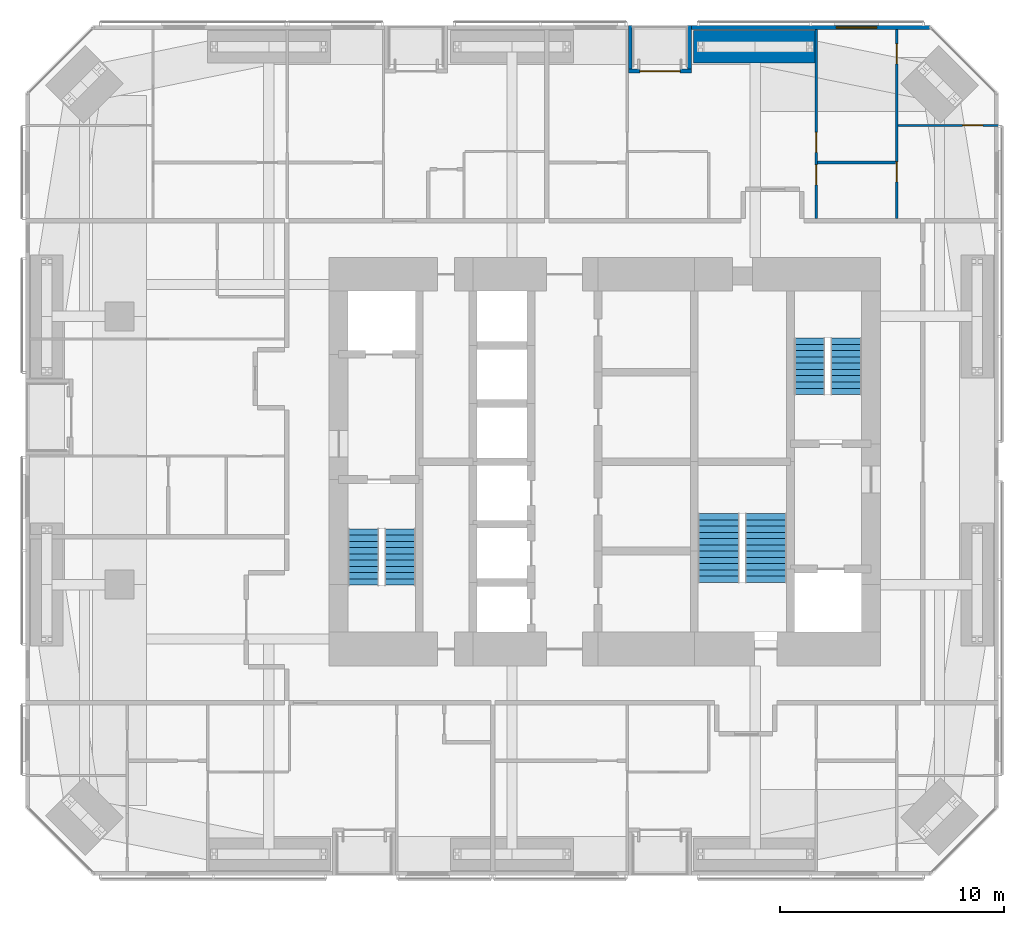
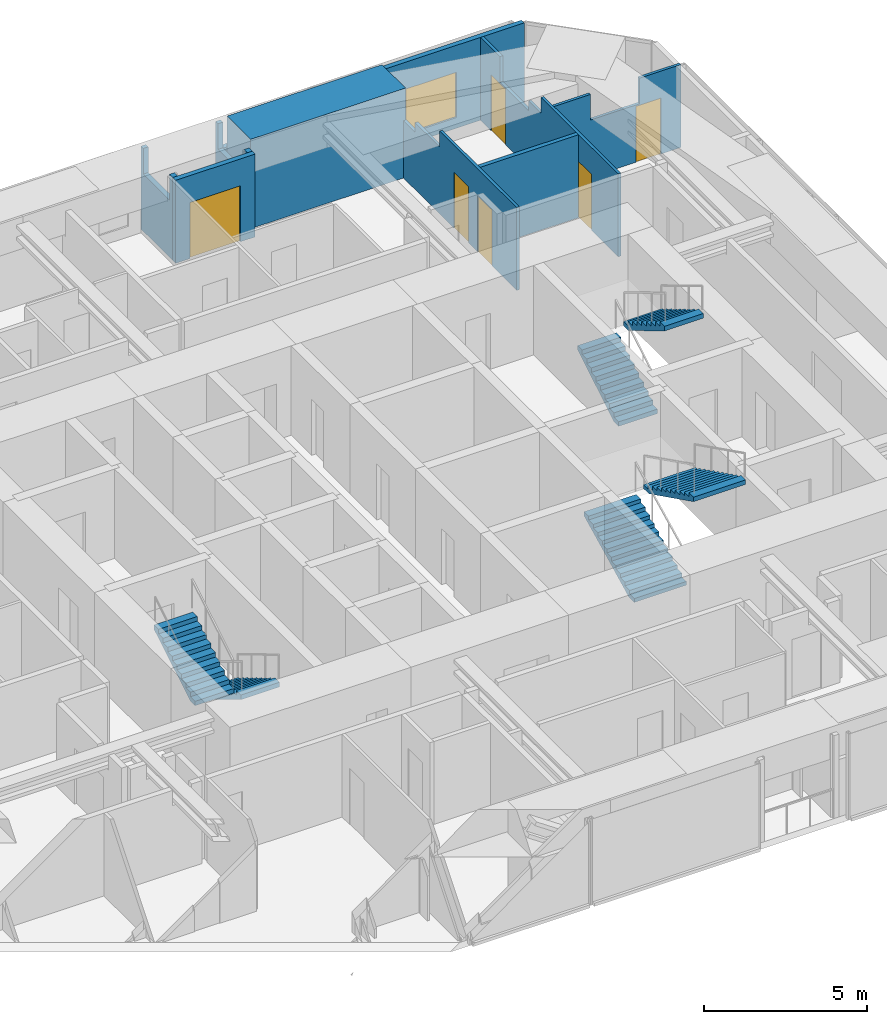
# One storey, part 23 of 24: 9 walls, 6 doors, 6 stair flights, 1 window, 7 openings, 3 elements without a shape of their own.
"""IFC4 building model written with IfcOpenShell, lengths in metres."""

import ifcopenshell
import ifcopenshell.guid

model = None  # the IFC model being written
_history = None  # IfcOwnerHistory: only IFC2X3 demands one
_inside = {}  # id of a spatial element -> (the spatial element, [elements in it])
_under = {}  # id of a project, library or spatial element -> (it, [spatial elements below it])
_declared = {}  # id of a project -> (the project, [libraries it declares])
_typed = {}  # id of a type object -> (the type object, [elements of that type])
_made_of = {}  # id of a material, layer set ... -> (it, [elements and type objects made of it])


def new_model(schema):
    """Start an empty IFC model of exactly this schema.

    Asked for "IFC4X3", IfcOpenShell would pick the latest addendum, in which some entities
    have other attributes; the version numbers below select the first issue.
    IFC2X3 requires an IfcOwnerHistory on every rooted entity: one is made here for all.
    """
    global model, _history
    if schema == "IFC4X3":
        model = ifcopenshell.file(schema_version=(4, 3, 0, 0))
    else:
        model = ifcopenshell.file(schema=schema)
    _inside.clear()
    _under.clear()
    _declared.clear()
    _typed.clear()
    _made_of.clear()
    _history = None
    if model.schema == "IFC2X3":
        org = make("IfcOrganization", Name="unknown")
        user = make(
            "IfcPersonAndOrganization",
            ThePerson=make("IfcPerson", FamilyName="unknown"),
            TheOrganization=org,
        )
        app = make(
            "IfcApplication",
            ApplicationDeveloper=org,
            Version="unknown",
            ApplicationFullName="unknown",
            ApplicationIdentifier="unknown",
        )
        _history = make(
            "IfcOwnerHistory",
            OwningUser=user,
            OwningApplication=app,
            ChangeAction="ADDED",
            CreationDate=0,
        )
    return model


def make(cls, **values):
    """One entity of the class cls with the attributes given. An attribute that is None is left unset."""
    return model.create_entity(
        cls, **{name: value for name, value in values.items() if value is not None}
    )


def rooted(cls, **values):
    """An entity with a GlobalId (a new one), such as an element, a storey or a relation."""
    return make(cls, GlobalId=ifcopenshell.guid.new(), OwnerHistory=_history, **values)


def si_unit(unit_type, name, prefix=None):
    """IfcSIUnit, for example si_unit("LENGTHUNIT", "METRE", prefix="MILLI")."""
    return make("IfcSIUnit", UnitType=unit_type, Prefix=prefix, Name=name)


def assignment(units):
    """IfcUnitAssignment: the units of a project."""
    return None if units is None else make("IfcUnitAssignment", Units=units)


def point(xyz):
    """IfcCartesianPoint."""
    return None if xyz is None else make("IfcCartesianPoint", Coordinates=xyz)


def direction(xyz):
    """IfcDirection."""
    return None if xyz is None else make("IfcDirection", DirectionRatios=xyz)


def frame(location, z_axis=None, x_axis=None):
    """IfcAxis2Placement3D, a coordinate frame: its origin and axes. An axis left out is left unset."""
    return make(
        "IfcAxis2Placement3D",
        Location=point(location),
        Axis=direction(z_axis),
        RefDirection=direction(x_axis),
    )


def frame_2d(location, x_axis=None):
    """IfcAxis2Placement2D, a coordinate frame in the plane: its origin and x axis."""
    return make(
        "IfcAxis2Placement2D", Location=point(location), RefDirection=direction(x_axis)
    )


def origin():
    """The frame at (0, 0, 0) with its axes left unset."""
    return frame((0.0, 0.0, 0.0))


def place(relative_to, where):
    """IfcLocalPlacement: puts the frame where relative to a parent placement (None: the world)."""
    return make(
        "IfcLocalPlacement", PlacementRelTo=relative_to, RelativePlacement=where
    )


def context(
    kind, dimensions, precision=None, world=None, true_north=None, identifier=None
):
    """IfcGeometricRepresentationContext, for example the 3D "Model" context."""
    return make(
        "IfcGeometricRepresentationContext",
        ContextIdentifier=identifier,
        ContextType=kind,
        CoordinateSpaceDimension=dimensions,
        Precision=precision,
        WorldCoordinateSystem=world,
        TrueNorth=true_north,
    )


def subcontext(parent, identifier, kind, view, scale=None):
    """IfcGeometricRepresentationSubContext, for example "Body" below "Model"."""
    return make(
        "IfcGeometricRepresentationSubContext",
        ContextIdentifier=identifier,
        ContextType=kind,
        ParentContext=parent,
        TargetScale=scale,
        TargetView=view,
    )


def project(units=None, contexts=None):
    """IfcProject with its units and contexts."""
    return rooted(
        "IfcProject",
        Name="project",
        RepresentationContexts=contexts,
        UnitsInContext=assignment(units),
    )


def spatial(cls, under=None, at=None, **own):
    """A site, building, storey or space (cls), placed at a placement, below another one or the project."""
    s = rooted(cls, ObjectPlacement=at, **own)
    if under is not None:
        _under.setdefault(under.id(), (under, []))[1].append(s)
    return s


def polyline(points):
    """IfcPolyline through the points."""
    return make("IfcPolyline", Points=[point(p) for p in points])


def profile(cls, at=None, kind="AREA", **sizes):
    """A parametric profile (cls). Its sizes go by their IFC names, for example OverallWidth=200.0."""
    return make(cls, ProfileType=kind, Position=at, **sizes)


def rectangle(**sizes):
    """IfcRectangleProfileDef."""
    return profile("IfcRectangleProfileDef", **sizes)


def outline(outer, holes=None, kind="AREA"):
    """IfcArbitraryClosedProfileDef: a profile drawn as a closed curve; with holes, ...WithVoids."""
    if holes is None:
        return make("IfcArbitraryClosedProfileDef", ProfileType=kind, OuterCurve=outer)
    return make(
        "IfcArbitraryProfileDefWithVoids",
        ProfileType=kind,
        OuterCurve=outer,
        InnerCurves=holes,
    )


def extrude(swept, where, along, depth):
    """IfcExtrudedAreaSolid: the profile swept, set in the frame where, extruded along a direction by depth."""
    return make(
        "IfcExtrudedAreaSolid",
        SweptArea=swept,
        Position=where,
        ExtrudedDirection=direction(along),
        Depth=depth,
    )


def shape(context_of_items, identifier, shape_type, items):
    """IfcShapeRepresentation: the items that make up one representation, for example the "Body"."""
    return make(
        "IfcShapeRepresentation",
        ContextOfItems=context_of_items,
        RepresentationIdentifier=identifier,
        RepresentationType=shape_type,
        Items=items,
    )


def material(Name=None, Category=None):
    """IfcMaterial."""
    return make("IfcMaterial", Name=Name, Category=Category)


def layer(
    of_material, thickness, ventilated=None, Name=None, Category=None, Priority=None
):
    """IfcMaterialLayer: one layer of a wall or slab, of a material (None: an air gap)."""
    return make(
        "IfcMaterialLayer",
        Material=of_material,
        LayerThickness=thickness,
        IsVentilated=ventilated,
        Name=Name,
        Category=Category,
        Priority=Priority,
    )


def layer_set(layers, Name=None):
    """IfcMaterialLayerSet."""
    return make("IfcMaterialLayerSet", MaterialLayers=layers, LayerSetName=Name)


def constituent(of_material, Name=None, Category=None, fraction=None):
    """IfcMaterialConstituent: one of the materials an element consists of."""
    return make(
        "IfcMaterialConstituent",
        Name=Name,
        Material=of_material,
        Fraction=fraction,
        Category=Category,
    )


def constituent_set(constituents=None, Name=None):
    """IfcMaterialConstituentSet."""
    return make(
        "IfcMaterialConstituentSet", Name=Name, MaterialConstituents=constituents
    )


def made_of(thing, what):
    """Note that an element or type object is made of a material, layer set ...; save() writes the relation."""
    if what is not None:
        _made_of.setdefault(what.id(), (what, []))[1].append(thing)
    return thing


def type_object(cls, material=None, **own):
    """A type object (cls), such as IfcWallType, which elements share."""
    return made_of(rooted(cls, **own), material)


def element(
    cls,
    number,
    at=None,
    inside=None,
    cuts=None,
    type_object=None,
    material=None,
    context=None,
    identifier="Body",
    shape_type=None,
    held_by="IfcProductDefinitionShape",
    body=None,
    shapes=None,
    **own,
):
    """One element of the class cls, such as IfcWall. Its Tag is "e" and its number.

    at: its placement. inside: the storey or other place that contains it. cuts: it is an
    opening in that element (IfcRelVoidsElement). A single representation is given by context,
    identifier, shape_type and body (its items); several are given by shapes. held_by: the class
    of the entity that holds the representations. save() writes the other relations.
    """
    e = rooted(cls, Tag="e%d" % number, ObjectPlacement=at, **own)
    if body is not None:
        shapes = [shape(context, identifier, shape_type, body)]
    if shapes is not None:
        e.Representation = make(held_by, Representations=shapes)
    if inside is not None:
        _inside.setdefault(inside.id(), (inside, []))[1].append(e)
    if cuts is not None:
        rooted(
            "IfcRelVoidsElement", RelatingBuildingElement=cuts, RelatedOpeningElement=e
        )
    if type_object is not None:
        _typed.setdefault(type_object.id(), (type_object, []))[1].append(e)
    return made_of(e, material)


def fill(opening, filler):
    """IfcRelFillsElement: the door or window that sits in an opening."""
    return rooted(
        "IfcRelFillsElement",
        RelatingOpeningElement=opening,
        RelatedBuildingElement=filler,
    )


def aggregate(whole, parts):
    """IfcRelAggregates: a whole, such as a stair, and the parts it consists of."""
    return rooted("IfcRelAggregates", RelatingObject=whole, RelatedObjects=parts)


def save(model, path):
    """Write the relations noted so far, then the file.

    IfcRelAggregates (storeys below a building ...), IfcRelContainedInSpatialStructure (elements
    in a storey), IfcRelDefinesByType, IfcRelAssociatesMaterial and IfcRelDeclares: one each for
    every whole, place, type object, material and project.
    """
    for whole, parts in _under.values():
        aggregate(whole, parts)
    for where, things in _inside.values():
        rooted(
            "IfcRelContainedInSpatialStructure",
            RelatedElements=things,
            RelatingStructure=where,
        )
    for kind, things in _typed.values():
        rooted("IfcRelDefinesByType", RelatedObjects=things, RelatingType=kind)
    for what, things in _made_of.values():
        rooted("IfcRelAssociatesMaterial", RelatedObjects=things, RelatingMaterial=what)
    for by, libraries in _declared.values():
        rooted("IfcRelDeclares", RelatingContext=by, RelatedDefinitions=libraries)
    model.write(path)


model = new_model("IFC4")

# Units and contexts
model_context = context("Model", 3, precision=1e-05, world=origin(), true_north=direction((0.0, 1.0)))
body_context = subcontext(model_context, "Body", "Model", "MODEL_VIEW")
ifc_project = project(units=[si_unit("LENGTHUNIT", "METRE"), si_unit("AREAUNIT", "SQUARE_METRE"), si_unit("VOLUMEUNIT", "CUBIC_METRE"), si_unit("PLANEANGLEUNIT", "RADIAN"), si_unit("MASSUNIT", "GRAM", prefix="KILO")], contexts=[model_context])

# Site, building, storey
site_placement = place(None, origin())
site = spatial("IfcSite", under=ifc_project, at=site_placement, CompositionType="ELEMENT")
building_placement = place(site_placement, origin())
building = spatial("IfcBuilding", under=site, at=building_placement, Name="Jalousie Tower", CompositionType="ELEMENT")
storey_placement = place(building_placement, frame((0.0, 0.0, 124.949951171875)))
storey = spatial("IfcBuildingStorey", under=building, at=storey_placement, Name="L34", CompositionType="ELEMENT", Elevation=124.949951171875)

# Wall
ifc_material_1 = material(Name="Concrete block ASTM C90", Category="concrete")
ifc_constituent_1 = constituent(ifc_material_1, Name="Body")
ifc_material_2 = material(Name="Render")
ifc_constituent_2 = constituent(ifc_material_2, Name="Finish")
ifc_constituent_set_1 = constituent_set(constituents=[ifc_constituent_1, ifc_constituent_2])
wall_type_1 = type_object("IfcWallType", Name="BATHROOM WALL 150", PredefinedType="PLUMBINGWALL", material=ifc_constituent_set_1)
wall_1_placement = place(storey_placement, frame((41.39990234375, 31.875, 0.0), z_axis=(0.0, 0.0, 1.0), x_axis=(1.0, 0.0, 0.0)))
element("IfcWall", 1, at=wall_1_placement, inside=storey, type_object=wall_type_1, Name="Bathroom Wall 150 L34", PredefinedType="PLUMBINGWALL", context=body_context, shape_type="SweptSolid", body=[
    extrude(rectangle(XDim=3.5, YDim=0.14990234375, at=frame_2d((1.75, 0.0))), origin(), (0.0, 0.0, 1.0), 3.110107421875),
])

# Wall, opening, window
ifc_material_3 = material(Name="Concrete f'c 40 MPa", Category="concrete")
ifc_constituent_3 = constituent(ifc_material_3, Name="Body")
ifc_material_4 = material(Name="Render, pastel sea green")
ifc_constituent_4 = constituent(ifc_material_4, Name="Finish")
ifc_constituent_set_2 = constituent_set(constituents=[ifc_constituent_3, ifc_constituent_4])
wall_type_2 = type_object("IfcWallType", Name="EXTERNAL WALL 175 SEA GREEN RENDER", PredefinedType="SOLIDWALL", material=ifc_constituent_set_2)
wall_2_placement = place(storey_placement, frame((46.44873046875, 37.91259765625, 0.0), z_axis=(0.0, 0.0, 1.0), x_axis=(-1.0, 0.0, 0.0)))
wall_2 = element("IfcWall", 2, at=wall_2_placement, inside=storey, type_object=wall_type_2, Name="External Wall 175 Sea Green Render L34", PredefinedType="SOLIDWALL", context=body_context, shape_type="SweptSolid", body=[
    extrude(outline(polyline([(0.0, 0.0), (10.673828125, 0.0), (10.673583984375, 2.150146484375), (7.82373046875, 2.150146484375), (7.82373046875, 3.110107421875), (7.66552734375, 3.110107421875), (7.66552734375, 2.150146484375), (7.620361328125, 2.150146484375), (7.620361328125, 3.110107421875), (0.0, 3.110107421875), (0.0, 0.0)])), frame((0.0, 0.08740234375, 0.0), z_axis=(0.0, -1.0, 0.0), x_axis=(1.0, 0.0, 0.0)), (0.0, 0.0, 1.0), 0.175048828125),
])
opening_1_placement = place(wall_2_placement, frame((2.398681640625, 0.0, 0.39990234375)))
opening_1 = element("IfcOpeningElement", 3, at=opening_1_placement, cuts=wall_2, Name="Opening W-BED170", PredefinedType="OPENING", context=body_context, shape_type="SweptSolid", body=[
    extrude(rectangle(XDim=1.800048828125, YDim=1.699951171875, at=frame_2d((0.89990234375, 0.85009765625))), frame((0.0, 0.097412109375, 0.0), z_axis=(0.0, -1.0, 0.0), x_axis=(1.0, 0.0, 0.0)), (0.0, 0.0, 1.0), 0.195068359375),
])
ifc_material_5 = material(Name="Aluminium frame, impact-rated glazing", Category="aluminium")
window_type = type_object("IfcWindowType", Name="WINDOW BED 1800x1700", PartitioningType="SINGLE_PANEL", PredefinedType="WINDOW", material=ifc_material_5)
window_placement = place(opening_1_placement, origin())
window = element("IfcWindow", 4, at=window_placement, inside=storey, type_object=window_type, Name="Apartment 3404 bedroom 2 window", OverallHeight=1.699951171875, OverallWidth=1.800048828125, PartitioningType="SINGLE_PANEL", PredefinedType="WINDOW", context=body_context, shape_type="SweptSolid", body=[
    extrude(rectangle(XDim=1.800048828125, YDim=1.699951171875, at=frame_2d((0.89990234375, 0.85009765625))), frame((0.0, 0.030029296875, 0.0), z_axis=(0.0, -1.0, 0.0), x_axis=(1.0, 0.0, 0.0)), (0.0, 0.0, 1.0), 0.06005859375),
])
fill(opening_1, window)

# Wall, opening, door
wall_3_placement = place(storey_placement, frame((35.77490234375, 35.96240234375, 0.0), z_axis=(0.0, 0.0, 1.0), x_axis=(-1.0, 0.0, 0.0)))
wall_3 = element("IfcWall", 5, at=wall_3_placement, inside=storey, type_object=wall_type_2, Name="External Wall 175 Sea Green Render L34", PredefinedType="SOLIDWALL", context=body_context, shape_type="SweptSolid", body=[
    extrude(rectangle(XDim=2.824951171875, YDim=0.175048828125, at=frame_2d((1.41259765625, 0.0))), origin(), (0.0, 0.0, 1.0), 3.110107421875),
])
opening_2_placement = place(wall_3_placement, frame((0.512451171875, 0.0, 0.0)))
opening_2 = element("IfcOpeningElement", 6, at=opening_2_placement, cuts=wall_3, Name="Opening D-BAL21", PredefinedType="OPENING", context=body_context, shape_type="SweptSolid", body=[
    extrude(rectangle(XDim=1.800048828125, YDim=2.10009765625, at=frame_2d((0.89990234375, 1.050048828125))), frame((0.0, 0.097412109375, 0.0), z_axis=(0.0, -1.0, 0.0), x_axis=(1.0, 0.0, 0.0)), (0.0, 0.0, 1.0), 0.195068359375),
])
ifc_material_6 = material(Name="Aluminium frame, impact-rated glazing", Category="aluminium")
door_type_1 = type_object("IfcDoorType", Name="BALCONY DOOR 1800x2100", OperationType="SLIDING_TO_LEFT", PredefinedType="DOOR", material=ifc_material_6)
door_1_placement = place(opening_2_placement, origin())
door_1 = element("IfcDoor", 7, at=door_1_placement, inside=storey, type_object=door_type_1, Name="Apartment 3404 living and dining room loggia door", OperationType="SLIDING_TO_LEFT", OverallHeight=2.10009765625, OverallWidth=1.800048828125, PredefinedType="DOOR", context=body_context, shape_type="SweptSolid", body=[
    extrude(rectangle(XDim=1.800048828125, YDim=2.10009765625, at=frame_2d((0.89990234375, 1.050048828125))), frame((0.0, 0.02490234375, 0.0), z_axis=(0.0, -1.0, 0.0), x_axis=(1.0, 0.0, 0.0)), (0.0, 0.0, 1.0), 0.050048828125),
])
fill(opening_2, door_1)

# Walls
for number, where, z_axis, x_axis, name in (
    (8, (35.6875, 38.0, 0.0), (0.0, 0.0, 1.0), (0.0, -1.0, 0.0), "External Wall 175 Sea Green Render L34"),
    (9, (33.03759765625, 38.0, 0.0), (0.0, 0.0, 1.0), (0.0, -1.0, 0.0), "External Wall 175 Sea Green Render L34"),
):
    element("IfcWall", number, at=place(storey_placement, frame(where, z_axis=z_axis, x_axis=x_axis)), inside=storey, type_object=wall_type_2, Name=name, PredefinedType="SOLIDWALL", context=body_context, shape_type="SweptSolid", body=[
        extrude(outline(polyline([(0.0, 0.0), (1.949951171875, 0.0), (1.949951171875, 3.110107421875), (1.75, 3.110107421875), (1.75, 2.150146484375), (0.14990234375, 2.150146484375), (0.14990234375, 3.110107421875), (0.0, 3.110107421875), (0.0, 0.0)])), frame((0.0, 0.08740234375, 0.0), z_axis=(0.0, -1.0, 0.0), x_axis=(1.0, 0.0, 0.0)), (0.0, 0.0, 1.0), 0.175048828125),
    ])

# Wall, openings, doors
ifc_material_7 = material(Name="Gypsum board", Category="gypsum")
ifc_constituent_5 = constituent(ifc_material_7, Name="Body")
ifc_material_8 = material(Name="Light-gauge steel studs ASTM A653 SS Grade 33", Category="steel")
ifc_constituent_6 = constituent(ifc_material_8, Name="Framing")
ifc_constituent_set_3 = constituent_set(constituents=[ifc_constituent_5, ifc_constituent_6])
wall_type_3 = type_object("IfcWallType", Name="PARTITION 100", PredefinedType="PARTITIONING", material=ifc_constituent_set_3)
wall_4_placement = place(storey_placement, frame((41.35009765625, 37.824951171875, 0.0), z_axis=(0.0, 0.0, 1.0), x_axis=(0.0, -1.0, 0.0)))
wall_4 = element("IfcWall", 10, at=wall_4_placement, inside=storey, type_object=wall_type_3, Name="Partition 100 L34", PredefinedType="PARTITIONING", context=body_context, shape_type="SweptSolid", body=[
    extrude(outline(polyline([(0.0, 0.0), (8.449951171875, 0.0), (8.449951171875, 3.110107421875), (3.71630859375, 3.110107421875), (3.71630859375, 2.510009765625), (2.20849609375, 2.510009765625), (2.20849609375, 2.150146484375), (0.453125, 2.150146484375), (0.453125, 3.110107421875), (0.0, 3.110107421875), (0.0, 0.0)])), frame((0.0, 0.050048828125, 0.0), z_axis=(0.0, -1.0, 0.0), x_axis=(1.0, 0.0, 0.0)), (0.0, 0.0, 1.0), 0.10009765625),
])
opening_3_placement = place(wall_4_placement, frame((4.60009765625, 0.0, 0.0)))
opening_3 = element("IfcOpeningElement", 11, at=opening_3_placement, cuts=wall_4, Name="Opening D2", PredefinedType="OPENING", context=body_context, shape_type="SweptSolid", body=[
    extrude(rectangle(XDim=0.89990234375, YDim=2.10009765625, at=frame_2d((0.449951171875, 1.050048828125))), frame((0.0, 0.06005859375, 0.0), z_axis=(0.0, -1.0, 0.0), x_axis=(1.0, 0.0, 0.0)), (0.0, 0.0, 1.0), 0.1201171875),
])
opening_4_placement = place(wall_4_placement, frame((6.050048828125, 0.0, 0.0)))
opening_4 = element("IfcOpeningElement", 12, at=opening_4_placement, cuts=wall_4, Name="Opening D7", PredefinedType="OPENING", context=body_context, shape_type="SweptSolid", body=[
    extrude(rectangle(XDim=0.89990234375, YDim=2.10009765625, at=frame_2d((0.449951171875, 1.050048828125))), frame((0.0, 0.06005859375, 0.0), z_axis=(0.0, -1.0, 0.0), x_axis=(1.0, 0.0, 0.0)), (0.0, 0.0, 1.0), 0.1201171875),
])
ifc_material_9 = material(Name="Timber door", Category="wood")
door_type_2 = type_object("IfcDoorType", Name="BEDROOM DOOR 900", OperationType="SINGLE_SWING_LEFT", PredefinedType="DOOR", material=ifc_material_9)
door_2_placement = place(opening_3_placement, origin())
door_2 = element("IfcDoor", 13, at=door_2_placement, inside=storey, type_object=door_type_2, Name="Apartment 3404 bedroom 2 door", OperationType="SINGLE_SWING_RIGHT", OverallHeight=2.10009765625, OverallWidth=0.89990234375, PredefinedType="DOOR", context=body_context, shape_type="SweptSolid", body=[
    extrude(rectangle(XDim=0.89990234375, YDim=2.10009765625, at=frame_2d((0.449951171875, 1.050048828125))), frame((0.0, 0.02490234375, 0.0), z_axis=(0.0, -1.0, 0.0), x_axis=(1.0, 0.0, 0.0)), (0.0, 0.0, 1.0), 0.050048828125),
])
fill(opening_3, door_2)
ifc_material_10 = material(Name="Timber door", Category="wood")
door_type_3 = type_object("IfcDoorType", Name="INTERNAL DOOR 900", OperationType="SINGLE_SWING_LEFT", PredefinedType="DOOR", material=ifc_material_10)
door_3_placement = place(opening_4_placement, origin())
door_3 = element("IfcDoor", 14, at=door_3_placement, inside=storey, type_object=door_type_3, Name="Apartment 3404 bathroom door", OperationType="SINGLE_SWING_LEFT", OverallHeight=2.10009765625, OverallWidth=0.89990234375, PredefinedType="DOOR", context=body_context, shape_type="SweptSolid", body=[
    extrude(rectangle(XDim=0.89990234375, YDim=2.10009765625, at=frame_2d((0.449951171875, 1.050048828125))), frame((0.0, 0.02490234375, 0.0), z_axis=(0.0, -1.0, 0.0), x_axis=(1.0, 0.0, 0.0)), (0.0, 0.0, 1.0), 0.050048828125),
])
fill(opening_4, door_3)

wall_5_placement = place(storey_placement, frame((44.949951171875, 37.824951171875, 0.0), z_axis=(0.0, 0.0, 1.0), x_axis=(0.0, -1.0, 0.0)))
wall_5 = element("IfcWall", 15, at=wall_5_placement, inside=storey, type_object=wall_type_3, Name="Partition 100 L34", PredefinedType="PARTITIONING", context=body_context, shape_type="SweptSolid", body=[
    extrude(outline(polyline([(0.0, 0.0), (8.449951171875, 0.0), (8.449951171875, 3.110107421875), (3.71630859375, 3.110107421875), (3.71630859375, 2.510009765625), (2.94287109375, 2.510009765625), (2.94287109375, 2.150146484375), (1.1875, 2.150146484375), (1.1875, 3.110107421875), (0.0, 3.110107421875), (0.0, 0.0)])), frame((0.0, 0.050048828125, 0.0), z_axis=(0.0, -1.0, 0.0), x_axis=(1.0, 0.0, 0.0)), (0.0, 0.0, 1.0), 0.10009765625),
])
opening_5_placement = place(wall_5_placement, frame((0.638916015625, 0.0, 0.0)))
opening_5 = element("IfcOpeningElement", 16, at=opening_5_placement, cuts=wall_5, Name="Opening D2", PredefinedType="OPENING", context=body_context, shape_type="SweptSolid", body=[
    extrude(rectangle(XDim=0.89990234375, YDim=2.10009765625, at=frame_2d((0.449951171875, 1.050048828125))), frame((0.0, 0.06005859375, 0.0), z_axis=(0.0, -1.0, 0.0), x_axis=(1.0, 0.0, 0.0)), (0.0, 0.0, 1.0), 0.1201171875),
])
opening_6_placement = place(wall_5_placement, frame((5.91943359375, 0.0, 0.0)))
opening_6 = element("IfcOpeningElement", 17, at=opening_6_placement, cuts=wall_5, Name="Opening D3", PredefinedType="OPENING", context=body_context, shape_type="SweptSolid", body=[
    extrude(rectangle(XDim=0.89990234375, YDim=2.10009765625, at=frame_2d((0.449951171875, 1.050048828125))), frame((0.0, 0.06005859375, 0.0), z_axis=(0.0, -1.0, 0.0), x_axis=(1.0, 0.0, 0.0)), (0.0, 0.0, 1.0), 0.1201171875),
])
ifc_material_11 = material(Name="Timber door", Category="wood")
door_type_4 = type_object("IfcDoorType", Name="BATHROOM DOOR 900", OperationType="SINGLE_SWING_LEFT", PredefinedType="DOOR", material=ifc_material_11)
door_4_placement = place(opening_6_placement, frame((0.89990234375, 0.0, 0.0), z_axis=(0.0, 0.0, 1.0), x_axis=(-1.0, 0.0, 0.0)))
door_4 = element("IfcDoor", 18, at=door_4_placement, inside=storey, type_object=door_type_4, Name="Apartment 3404 bedroom 3 bathroom door", OperationType="SINGLE_SWING_LEFT", OverallHeight=2.10009765625, OverallWidth=0.89990234375, PredefinedType="DOOR", context=body_context, shape_type="SweptSolid", body=[
    extrude(rectangle(XDim=0.89990234375, YDim=2.10009765625, at=frame_2d((0.449951171875, 1.050048828125))), frame((0.0, 0.02490234375, 0.0), z_axis=(0.0, -1.0, 0.0), x_axis=(1.0, 0.0, 0.0)), (0.0, 0.0, 1.0), 0.050048828125),
])
fill(opening_6, door_4)
door_5_placement = place(opening_5_placement, frame((0.89990234375, 0.0, 0.0), z_axis=(0.0, 0.0, 1.0), x_axis=(-1.0, 0.0, 0.0)))
door_5 = element("IfcDoor", 19, at=door_5_placement, inside=storey, type_object=door_type_2, Name="Apartment 3404 bedroom 3 door", OperationType="SINGLE_SWING_RIGHT", OverallHeight=2.10009765625, OverallWidth=0.89990234375, PredefinedType="DOOR", context=body_context, shape_type="SweptSolid", body=[
    extrude(rectangle(XDim=0.89990234375, YDim=2.10009765625, at=frame_2d((0.449951171875, 1.050048828125))), frame((0.0, 0.02490234375, 0.0), z_axis=(0.0, -1.0, 0.0), x_axis=(1.0, 0.0, 0.0)), (0.0, 0.0, 1.0), 0.050048828125),
])
fill(opening_5, door_5)

# Wall, opening, door
wall_6_placement = place(storey_placement, frame((45.0, 33.5361328125, 0.0), z_axis=(0.0, 0.0, 1.0), x_axis=(1.0, 0.0, 0.0)))
wall_6 = element("IfcWall", 20, at=wall_6_placement, inside=storey, type_object=wall_type_3, Name="Partition 100 L34", PredefinedType="PARTITIONING", context=body_context, shape_type="SweptSolid", body=[
    extrude(outline(polyline([(0.0, 0.0), (4.5, 0.0), (4.5, 3.110107421875), (3.037109375, 3.110107421875), (3.037109375, 2.150146484375), (1.29443359375, 2.150146484375), (1.29443359375, 3.110107421875), (0.0, 3.110107421875), (0.0, 0.0)])), frame((0.0, 0.050048828125, 0.0), z_axis=(0.0, -1.0, 0.0), x_axis=(1.0, 0.0, 0.0)), (0.0, 0.0, 1.0), 0.10009765625),
])
opening_7_placement = place(wall_6_placement, frame((2.89990234375, 0.0, 0.0)))
opening_7 = element("IfcOpeningElement", 21, at=opening_7_placement, cuts=wall_6, Name="Opening D7", PredefinedType="OPENING", context=body_context, shape_type="SweptSolid", body=[
    extrude(rectangle(XDim=0.89990234375, YDim=2.10009765625, at=frame_2d((0.449951171875, 1.050048828125))), frame((0.0, 0.06005859375, 0.0), z_axis=(0.0, -1.0, 0.0), x_axis=(1.0, 0.0, 0.0)), (0.0, 0.0, 1.0), 0.1201171875),
])
door_6_placement = place(opening_7_placement, frame((0.89990234375, 0.0, 0.0), z_axis=(0.0, 0.0, 1.0), x_axis=(-1.0, 0.0, 0.0)))
door_6 = element("IfcDoor", 22, at=door_6_placement, inside=storey, type_object=door_type_3, Name="Apartment 3404 bedroom 3 dressing hall door", OperationType="SINGLE_SWING_LEFT", OverallHeight=2.10009765625, OverallWidth=0.89990234375, PredefinedType="DOOR", context=body_context, shape_type="SweptSolid", body=[
    extrude(rectangle(XDim=0.89990234375, YDim=2.10009765625, at=frame_2d((0.449951171875, 1.050048828125))), frame((0.0, 0.02490234375, 0.0), z_axis=(0.0, -1.0, 0.0), x_axis=(1.0, 0.0, 0.0)), (0.0, 0.0, 1.0), 0.050048828125),
])
fill(opening_7, door_6)

# Wall
ifc_material_12 = material(Name="Concrete f'c 120 MPa", Category="concrete")
ifc_layer = layer(ifc_material_12, 1.449951171875)
ifc_layer_set = layer_set([ifc_layer], Name="Concrete f'c 120 MPa")
wall_type_4 = type_object("IfcWallType", Name="RC WALL PIER 1450", PredefinedType="SHEAR", material=ifc_layer_set)
wall_7_placement = place(storey_placement, frame((35.875, 37.050048828125, 0.0), z_axis=(0.0, 0.0, 1.0), x_axis=(1.0, 0.0, 0.0)))
element("IfcWall", 23, at=wall_7_placement, inside=storey, type_object=wall_type_4, Name="Wall pier 09 L34", PredefinedType="SHEAR", context=body_context, shape_type="SweptSolid", body=[
    extrude(rectangle(XDim=5.5, YDim=1.449951171875, at=frame_2d((2.75, 0.0))), origin(), (0.0, 0.0, 1.0), 3.35009765625),
])

# Stair, stair flights
ifc_material_13 = material(Name="Concrete f'c 40 MPa", Category="concrete")
stair_type = type_object("IfcStairType", Name="EXIT STAIR", PredefinedType="HALF_TURN_STAIR", material=ifc_material_13)
stair_1_placement = place(storey_placement, origin())
stair_1 = element("IfcStair", 24, at=stair_1_placement, inside=storey, type_object=stair_type, Name="Exit stair A L34", PredefinedType="HALF_TURN_STAIR")
ifc_material_14 = material(Name="Concrete f'c 40 MPa", Category="concrete")
stair_flight_type = type_object("IfcStairFlightType", Name="STAIR FLIGHT", PredefinedType="STRAIGHT", material=ifc_material_14)
stair_flight_1_placement = place(storey_placement, frame((22.737548828125, 15.49755859375, 0.0), z_axis=(0.0, 0.0, 1.0), x_axis=(0.0, -1.0, 0.0)))
stair_flight_1 = element("IfcStairFlight", 25, at=stair_flight_1_placement, type_object=stair_flight_type, Name="ST-A flight 1", NumberOfRisers=10, NumberOfTreads=9, PredefinedType="STRAIGHT", RiserHeight=0.1675, TreadLength=0.28, context=body_context, shape_type="SweptSolid", body=[
    extrude(outline(polyline([(0.0, 0.0), (0.0, 0.16748046875), (0.280029296875, 0.16748046875), (0.280029296875, 0.3349609375), (0.56005859375, 0.3349609375), (0.56005859375, 0.50244140625), (0.840087890625, 0.50244140625), (0.840087890625, 0.669921875), (1.1201171875, 0.669921875), (1.1201171875, 0.83740234375), (1.39990234375, 0.83740234375), (1.39990234375, 1.0048828125), (1.679931640625, 1.0048828125), (1.679931640625, 1.172607421875), (1.9599609375, 1.172607421875), (1.9599609375, 1.340087890625), (2.239990234375, 1.340087890625), (2.239990234375, 1.507568359375), (2.52001953125, 1.507568359375), (2.52001953125, 1.675048828125), (2.52001953125, 1.332763671875), (0.2919921875, 0.0), (0.0, 0.0)])), frame((0.0, 0.6875, 0.0), z_axis=(0.0, -1.0, 0.0), x_axis=(1.0, 0.0, 0.0)), (0.0, 0.0, 1.0), 1.375),
])
stair_flight_2_placement = place(storey_placement, frame((21.112548828125, 12.9775390625, 1.675048828125), z_axis=(0.0, 0.0, 1.0), x_axis=(0.0, 1.0, 0.0)))
stair_flight_2 = element("IfcStairFlight", 26, at=stair_flight_2_placement, type_object=stair_flight_type, Name="ST-A flight 2", NumberOfRisers=10, NumberOfTreads=9, PredefinedType="STRAIGHT", RiserHeight=0.1675, TreadLength=0.28, context=body_context, shape_type="SweptSolid", body=[
    extrude(outline(polyline([(0.0, 0.0), (0.0, 0.16748046875), (0.280029296875, 0.16748046875), (0.280029296875, 0.3349609375), (0.56005859375, 0.3349609375), (0.56005859375, 0.50244140625), (0.840087890625, 0.50244140625), (0.840087890625, 0.669921875), (1.1201171875, 0.669921875), (1.1201171875, 0.83740234375), (1.39990234375, 0.83740234375), (1.39990234375, 1.0048828125), (1.679931640625, 1.0048828125), (1.679931640625, 1.172607421875), (1.9599609375, 1.172607421875), (1.9599609375, 1.340087890625), (2.239990234375, 1.340087890625), (2.239990234375, 1.507568359375), (2.52001953125, 1.507568359375), (2.52001953125, 1.675048828125), (2.52001953125, 1.332763671875), (0.2919921875, 0.0), (0.0, 0.0)])), frame((0.0, 0.6875, 0.0), z_axis=(0.0, -1.0, 0.0), x_axis=(1.0, 0.0, 0.0)), (0.0, 0.0, 1.0), 1.375),
])
aggregate(stair_1, [stair_flight_1, stair_flight_2])

stair_2_placement = place(storey_placement, origin())
stair_2 = element("IfcStair", 27, at=stair_2_placement, inside=storey, type_object=stair_type, Name="Exit stair B L34", PredefinedType="HALF_TURN_STAIR")
stair_flight_3_placement = place(storey_placement, frame((41.0625, 21.50244140625, 0.0), z_axis=(0.0, 0.0, 1.0), x_axis=(0.0, 1.0, 0.0)))
stair_flight_3 = element("IfcStairFlight", 28, at=stair_flight_3_placement, type_object=stair_flight_type, Name="ST-B flight 1", NumberOfRisers=10, NumberOfTreads=9, PredefinedType="STRAIGHT", RiserHeight=0.1675, TreadLength=0.28, context=body_context, shape_type="SweptSolid", body=[
    extrude(outline(polyline([(0.0, 0.0), (0.0, 0.16748046875), (0.280029296875, 0.16748046875), (0.280029296875, 0.3349609375), (0.56005859375, 0.3349609375), (0.56005859375, 0.50244140625), (0.840087890625, 0.50244140625), (0.840087890625, 0.669921875), (1.1201171875, 0.669921875), (1.1201171875, 0.83740234375), (1.39990234375, 0.83740234375), (1.39990234375, 1.0048828125), (1.679931640625, 1.0048828125), (1.679931640625, 1.172607421875), (1.9599609375, 1.172607421875), (1.9599609375, 1.340087890625), (2.239990234375, 1.340087890625), (2.239990234375, 1.507568359375), (2.52001953125, 1.507568359375), (2.52001953125, 1.675048828125), (2.52001953125, 1.332763671875), (0.2919921875, 0.0), (0.0, 0.0)])), frame((0.0, 0.6875, 0.0), z_axis=(0.0, -1.0, 0.0), x_axis=(1.0, 0.0, 0.0)), (0.0, 0.0, 1.0), 1.375),
])
stair_flight_4_placement = place(storey_placement, frame((42.6875, 24.0224609375, 1.675048828125), z_axis=(0.0, 0.0, 1.0), x_axis=(0.0, -1.0, 0.0)))
stair_flight_4 = element("IfcStairFlight", 29, at=stair_flight_4_placement, type_object=stair_flight_type, Name="ST-B flight 2", NumberOfRisers=10, NumberOfTreads=9, PredefinedType="STRAIGHT", RiserHeight=0.1675, TreadLength=0.28, context=body_context, shape_type="SweptSolid", body=[
    extrude(outline(polyline([(0.0, 0.0), (0.0, 0.16748046875), (0.280029296875, 0.16748046875), (0.280029296875, 0.3349609375), (0.56005859375, 0.3349609375), (0.56005859375, 0.50244140625), (0.840087890625, 0.50244140625), (0.840087890625, 0.669921875), (1.1201171875, 0.669921875), (1.1201171875, 0.83740234375), (1.39990234375, 0.83740234375), (1.39990234375, 1.0048828125), (1.679931640625, 1.0048828125), (1.679931640625, 1.172607421875), (1.9599609375, 1.172607421875), (1.9599609375, 1.340087890625), (2.239990234375, 1.340087890625), (2.239990234375, 1.507568359375), (2.52001953125, 1.507568359375), (2.52001953125, 1.675048828125), (2.52001953125, 1.332763671875), (0.2919921875, 0.0), (0.0, 0.0)])), frame((0.0, 0.6875, 0.0), z_axis=(0.0, -1.0, 0.0), x_axis=(1.0, 0.0, 0.0)), (0.0, 0.0, 1.0), 1.375),
])
aggregate(stair_2, [stair_flight_3, stair_flight_4])

stair_3_placement = place(storey_placement, origin())
stair_3 = element("IfcStair", 30, at=stair_3_placement, inside=storey, type_object=stair_type, Name="Exit stair C L34", PredefinedType="HALF_TURN_STAIR")
stair_flight_5_placement = place(storey_placement, frame((37.0, 13.097412109375, 0.0), z_axis=(0.0, 0.0, 1.0), x_axis=(0.0, 1.0, 0.0)))
stair_flight_5 = element("IfcStairFlight", 31, at=stair_flight_5_placement, type_object=stair_flight_type, Name="ST-C flight 1", NumberOfRisers=12, NumberOfTreads=11, PredefinedType="STRAIGHT", RiserHeight=0.139583333, TreadLength=0.28, context=body_context, shape_type="SweptSolid", body=[
    extrude(outline(polyline([(0.0, 0.0), (0.0, 0.1396484375), (0.280029296875, 0.1396484375), (0.280029296875, 0.279052734375), (0.56005859375, 0.279052734375), (0.56005859375, 0.418701171875), (0.840087890625, 0.418701171875), (0.840087890625, 0.558349609375), (1.1201171875, 0.558349609375), (1.1201171875, 0.697998046875), (1.39990234375, 0.697998046875), (1.39990234375, 0.83740234375), (1.679931640625, 0.83740234375), (1.679931640625, 0.97705078125), (1.9599609375, 0.97705078125), (1.9599609375, 1.11669921875), (2.239990234375, 1.11669921875), (2.239990234375, 1.25634765625), (2.52001953125, 1.25634765625), (2.52001953125, 1.395751953125), (2.800048828125, 1.395751953125), (2.800048828125, 1.535400390625), (3.080078125, 1.535400390625), (3.080078125, 1.675048828125), (3.080078125, 1.367919921875), (0.3359375, 0.0), (0.0, 0.0)])), frame((0.0, 0.925048828125, 0.0), z_axis=(0.0, -1.0, 0.0), x_axis=(1.0, 0.0, 0.0)), (0.0, 0.0, 1.0), 1.85009765625),
])
stair_flight_6_placement = place(storey_placement, frame((39.10009765625, 16.177490234375, 1.675048828125), z_axis=(0.0, 0.0, 1.0), x_axis=(0.0, -1.0, 0.0)))
stair_flight_6 = element("IfcStairFlight", 32, at=stair_flight_6_placement, type_object=stair_flight_type, Name="ST-C flight 2", NumberOfRisers=12, NumberOfTreads=11, PredefinedType="STRAIGHT", RiserHeight=0.139583333, TreadLength=0.28, context=body_context, shape_type="SweptSolid", body=[
    extrude(outline(polyline([(0.0, 0.0), (0.0, 0.1396484375), (0.280029296875, 0.1396484375), (0.280029296875, 0.279052734375), (0.56005859375, 0.279052734375), (0.56005859375, 0.418701171875), (0.840087890625, 0.418701171875), (0.840087890625, 0.558349609375), (1.1201171875, 0.558349609375), (1.1201171875, 0.697998046875), (1.39990234375, 0.697998046875), (1.39990234375, 0.83740234375), (1.679931640625, 0.83740234375), (1.679931640625, 0.97705078125), (1.9599609375, 0.97705078125), (1.9599609375, 1.11669921875), (2.239990234375, 1.11669921875), (2.239990234375, 1.25634765625), (2.52001953125, 1.25634765625), (2.52001953125, 1.395751953125), (2.800048828125, 1.395751953125), (2.800048828125, 1.535400390625), (3.080078125, 1.535400390625), (3.080078125, 1.675048828125), (3.080078125, 1.367919921875), (0.3359375, 0.0), (0.0, 0.0)])), frame((0.0, 0.925048828125, 0.0), z_axis=(0.0, -1.0, 0.0), x_axis=(1.0, 0.0, 0.0)), (0.0, 0.0, 1.0), 1.85009765625),
])
aggregate(stair_3, [stair_flight_5, stair_flight_6])

save(model, "model.ifc")
